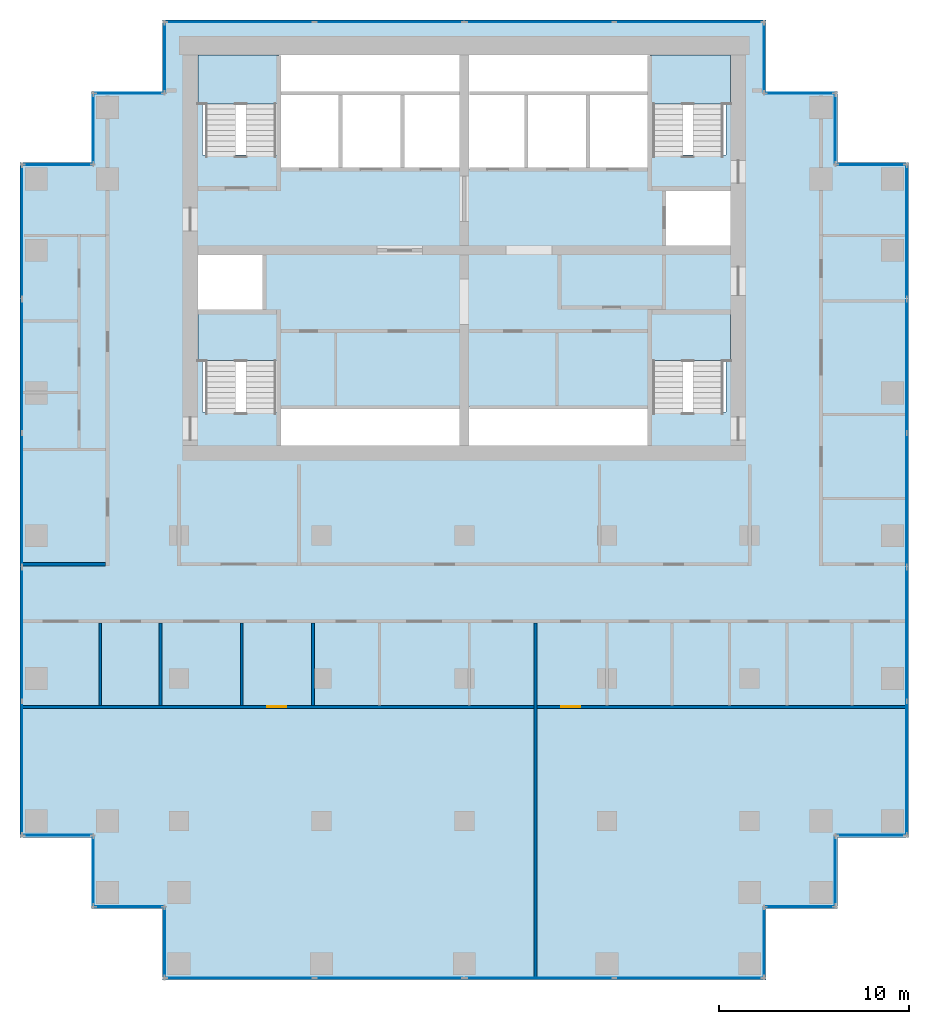
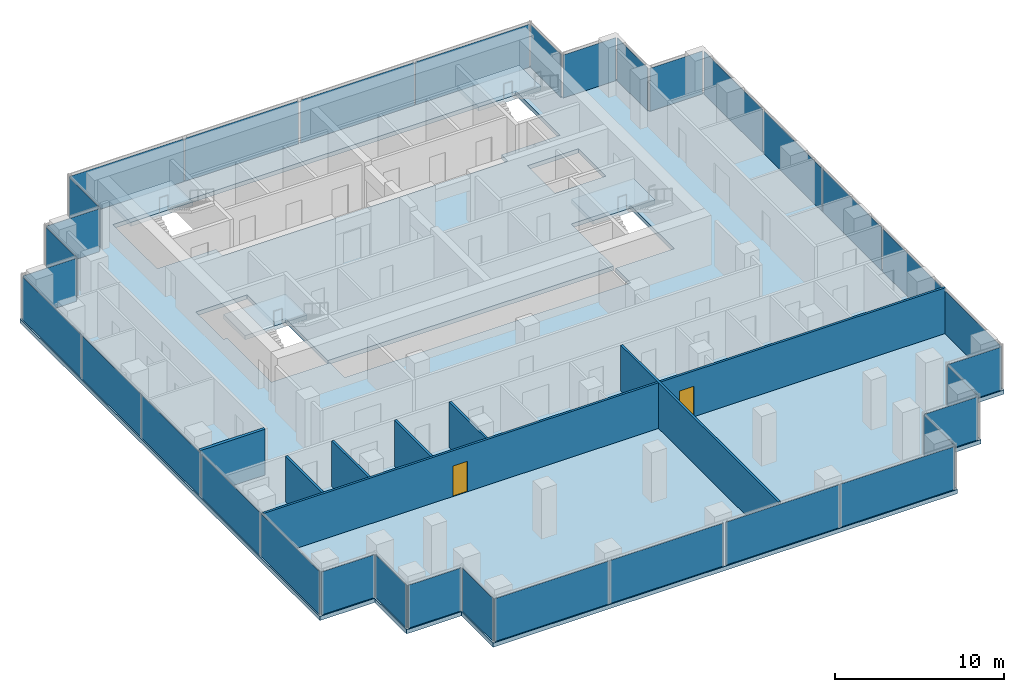
# One storey, part 6 of 10: 34 plates, 7 walls, 5 slabs, 2 doors, 2 openings, 30 elements without a shape of their own.
"""IFC4 building model written with IfcOpenShell, lengths in metres."""

import ifcopenshell
import ifcopenshell.guid

model = None  # the IFC model being written
_history = None  # IfcOwnerHistory: only IFC2X3 demands one
_inside = {}  # id of a spatial element -> (the spatial element, [elements in it])
_under = {}  # id of a project, library or spatial element -> (it, [spatial elements below it])
_declared = {}  # id of a project -> (the project, [libraries it declares])
_typed = {}  # id of a type object -> (the type object, [elements of that type])
_made_of = {}  # id of a material, layer set ... -> (it, [elements and type objects made of it])


def new_model(schema):
    """Start an empty IFC model of exactly this schema.

    Asked for "IFC4X3", IfcOpenShell would pick the latest addendum, in which some entities
    have other attributes; the version numbers below select the first issue.
    IFC2X3 requires an IfcOwnerHistory on every rooted entity: one is made here for all.
    """
    global model, _history
    if schema == "IFC4X3":
        model = ifcopenshell.file(schema_version=(4, 3, 0, 0))
    else:
        model = ifcopenshell.file(schema=schema)
    _inside.clear()
    _under.clear()
    _declared.clear()
    _typed.clear()
    _made_of.clear()
    _history = None
    if model.schema == "IFC2X3":
        org = make("IfcOrganization", Name="unknown")
        user = make(
            "IfcPersonAndOrganization",
            ThePerson=make("IfcPerson", FamilyName="unknown"),
            TheOrganization=org,
        )
        app = make(
            "IfcApplication",
            ApplicationDeveloper=org,
            Version="unknown",
            ApplicationFullName="unknown",
            ApplicationIdentifier="unknown",
        )
        _history = make(
            "IfcOwnerHistory",
            OwningUser=user,
            OwningApplication=app,
            ChangeAction="ADDED",
            CreationDate=0,
        )
    return model


def make(cls, **values):
    """One entity of the class cls with the attributes given. An attribute that is None is left unset."""
    return model.create_entity(
        cls, **{name: value for name, value in values.items() if value is not None}
    )


def rooted(cls, **values):
    """An entity with a GlobalId (a new one), such as an element, a storey or a relation."""
    return make(cls, GlobalId=ifcopenshell.guid.new(), OwnerHistory=_history, **values)


def si_unit(unit_type, name, prefix=None):
    """IfcSIUnit, for example si_unit("LENGTHUNIT", "METRE", prefix="MILLI")."""
    return make("IfcSIUnit", UnitType=unit_type, Prefix=prefix, Name=name)


def assignment(units):
    """IfcUnitAssignment: the units of a project."""
    return None if units is None else make("IfcUnitAssignment", Units=units)


def point(xyz):
    """IfcCartesianPoint."""
    return None if xyz is None else make("IfcCartesianPoint", Coordinates=xyz)


def direction(xyz):
    """IfcDirection."""
    return None if xyz is None else make("IfcDirection", DirectionRatios=xyz)


def frame(location, z_axis=None, x_axis=None):
    """IfcAxis2Placement3D, a coordinate frame: its origin and axes. An axis left out is left unset."""
    return make(
        "IfcAxis2Placement3D",
        Location=point(location),
        Axis=direction(z_axis),
        RefDirection=direction(x_axis),
    )


def frame_2d(location, x_axis=None):
    """IfcAxis2Placement2D, a coordinate frame in the plane: its origin and x axis."""
    return make(
        "IfcAxis2Placement2D", Location=point(location), RefDirection=direction(x_axis)
    )


def origin():
    """The frame at (0, 0, 0) with its axes left unset."""
    return frame((0.0, 0.0, 0.0))


def origin_2d():
    """The frame at (0, 0) in the plane with its x axis left unset."""
    return frame_2d((0.0, 0.0))


def place(relative_to, where):
    """IfcLocalPlacement: puts the frame where relative to a parent placement (None: the world)."""
    return make(
        "IfcLocalPlacement", PlacementRelTo=relative_to, RelativePlacement=where
    )


def context(
    kind, dimensions, precision=None, world=None, true_north=None, identifier=None
):
    """IfcGeometricRepresentationContext, for example the 3D "Model" context."""
    return make(
        "IfcGeometricRepresentationContext",
        ContextIdentifier=identifier,
        ContextType=kind,
        CoordinateSpaceDimension=dimensions,
        Precision=precision,
        WorldCoordinateSystem=world,
        TrueNorth=true_north,
    )


def subcontext(parent, identifier, kind, view, scale=None):
    """IfcGeometricRepresentationSubContext, for example "Body" below "Model"."""
    return make(
        "IfcGeometricRepresentationSubContext",
        ContextIdentifier=identifier,
        ContextType=kind,
        ParentContext=parent,
        TargetScale=scale,
        TargetView=view,
    )


def project(units=None, contexts=None):
    """IfcProject with its units and contexts."""
    return rooted(
        "IfcProject",
        Name="project",
        RepresentationContexts=contexts,
        UnitsInContext=assignment(units),
    )


def spatial(cls, under=None, at=None, **own):
    """A site, building, storey or space (cls), placed at a placement, below another one or the project."""
    s = rooted(cls, ObjectPlacement=at, **own)
    if under is not None:
        _under.setdefault(under.id(), (under, []))[1].append(s)
    return s


def polyline(points):
    """IfcPolyline through the points."""
    return make("IfcPolyline", Points=[point(p) for p in points])


def profile(cls, at=None, kind="AREA", **sizes):
    """A parametric profile (cls). Its sizes go by their IFC names, for example OverallWidth=200.0."""
    return make(cls, ProfileType=kind, Position=at, **sizes)


def rectangle(**sizes):
    """IfcRectangleProfileDef."""
    return profile("IfcRectangleProfileDef", **sizes)


def outline(outer, holes=None, kind="AREA"):
    """IfcArbitraryClosedProfileDef: a profile drawn as a closed curve; with holes, ...WithVoids."""
    if holes is None:
        return make("IfcArbitraryClosedProfileDef", ProfileType=kind, OuterCurve=outer)
    return make(
        "IfcArbitraryProfileDefWithVoids",
        ProfileType=kind,
        OuterCurve=outer,
        InnerCurves=holes,
    )


def extrude(swept, where, along, depth):
    """IfcExtrudedAreaSolid: the profile swept, set in the frame where, extruded along a direction by depth."""
    return make(
        "IfcExtrudedAreaSolid",
        SweptArea=swept,
        Position=where,
        ExtrudedDirection=direction(along),
        Depth=depth,
    )


def shape(context_of_items, identifier, shape_type, items):
    """IfcShapeRepresentation: the items that make up one representation, for example the "Body"."""
    return make(
        "IfcShapeRepresentation",
        ContextOfItems=context_of_items,
        RepresentationIdentifier=identifier,
        RepresentationType=shape_type,
        Items=items,
    )


def material(Name=None, Category=None):
    """IfcMaterial."""
    return make("IfcMaterial", Name=Name, Category=Category)


def layer(
    of_material, thickness, ventilated=None, Name=None, Category=None, Priority=None
):
    """IfcMaterialLayer: one layer of a wall or slab, of a material (None: an air gap)."""
    return make(
        "IfcMaterialLayer",
        Material=of_material,
        LayerThickness=thickness,
        IsVentilated=ventilated,
        Name=Name,
        Category=Category,
        Priority=Priority,
    )


def layer_set(layers, Name=None):
    """IfcMaterialLayerSet."""
    return make("IfcMaterialLayerSet", MaterialLayers=layers, LayerSetName=Name)


def made_of(thing, what):
    """Note that an element or type object is made of a material, layer set ...; save() writes the relation."""
    if what is not None:
        _made_of.setdefault(what.id(), (what, []))[1].append(thing)
    return thing


def type_object(cls, material=None, **own):
    """A type object (cls), such as IfcWallType, which elements share."""
    return made_of(rooted(cls, **own), material)


def element(
    cls,
    number,
    at=None,
    inside=None,
    cuts=None,
    type_object=None,
    material=None,
    context=None,
    identifier="Body",
    shape_type=None,
    held_by="IfcProductDefinitionShape",
    body=None,
    shapes=None,
    **own,
):
    """One element of the class cls, such as IfcWall. Its Tag is "e" and its number.

    at: its placement. inside: the storey or other place that contains it. cuts: it is an
    opening in that element (IfcRelVoidsElement). A single representation is given by context,
    identifier, shape_type and body (its items); several are given by shapes. held_by: the class
    of the entity that holds the representations. save() writes the other relations.
    """
    e = rooted(cls, Tag="e%d" % number, ObjectPlacement=at, **own)
    if body is not None:
        shapes = [shape(context, identifier, shape_type, body)]
    if shapes is not None:
        e.Representation = make(held_by, Representations=shapes)
    if inside is not None:
        _inside.setdefault(inside.id(), (inside, []))[1].append(e)
    if cuts is not None:
        rooted(
            "IfcRelVoidsElement", RelatingBuildingElement=cuts, RelatedOpeningElement=e
        )
    if type_object is not None:
        _typed.setdefault(type_object.id(), (type_object, []))[1].append(e)
    return made_of(e, material)


def fill(opening, filler):
    """IfcRelFillsElement: the door or window that sits in an opening."""
    return rooted(
        "IfcRelFillsElement",
        RelatingOpeningElement=opening,
        RelatedBuildingElement=filler,
    )


def aggregate(whole, parts):
    """IfcRelAggregates: a whole, such as a stair, and the parts it consists of."""
    return rooted("IfcRelAggregates", RelatingObject=whole, RelatedObjects=parts)


def save(model, path):
    """Write the relations noted so far, then the file.

    IfcRelAggregates (storeys below a building ...), IfcRelContainedInSpatialStructure (elements
    in a storey), IfcRelDefinesByType, IfcRelAssociatesMaterial and IfcRelDeclares: one each for
    every whole, place, type object, material and project.
    """
    for whole, parts in _under.values():
        aggregate(whole, parts)
    for where, things in _inside.values():
        rooted(
            "IfcRelContainedInSpatialStructure",
            RelatedElements=things,
            RelatingStructure=where,
        )
    for kind, things in _typed.values():
        rooted("IfcRelDefinesByType", RelatedObjects=things, RelatingType=kind)
    for what, things in _made_of.values():
        rooted("IfcRelAssociatesMaterial", RelatedObjects=things, RelatingMaterial=what)
    for by, libraries in _declared.values():
        rooted("IfcRelDeclares", RelatingContext=by, RelatedDefinitions=libraries)
    model.write(path)


model = new_model("IFC4")

# Units and contexts
model_context = context("Model", 3, precision=1e-05, world=origin(), true_north=direction((0.0, 1.0)))
body_context = subcontext(model_context, "Body", "Model", "MODEL_VIEW")
ifc_project = project(units=[si_unit("LENGTHUNIT", "METRE"), si_unit("AREAUNIT", "SQUARE_METRE"), si_unit("VOLUMEUNIT", "CUBIC_METRE"), si_unit("PLANEANGLEUNIT", "RADIAN"), si_unit("MASSUNIT", "GRAM", prefix="KILO")], contexts=[model_context])

# Site, building, storey
site_placement = place(None, origin())
site = spatial("IfcSite", under=ifc_project, at=site_placement, CompositionType="ELEMENT")
building_placement = place(site_placement, origin())
building = spatial("IfcBuilding", under=site, at=building_placement, Name="Pilkhan Gate Tower", CompositionType="ELEMENT")
storey_placement = place(building_placement, frame((0.0, 0.0, 169.300048828125)))
storey = spatial("IfcBuildingStorey", under=building, at=storey_placement, Name="L43", CompositionType="ELEMENT", Elevation=169.300048828125)

# Slab
ifc_material_1 = material(Name="Concrete C40/50", Category="concrete")
ifc_layer_1 = layer(ifc_material_1, 0.300048828125)
ifc_layer_set_1 = layer_set([ifc_layer_1], Name="Flat plate slab FP300")
slab_type_1 = type_object("IfcSlabType", Name="Flat plate slab FP300", PredefinedType="FLOOR", material=ifc_layer_set_1)
slab_1_placement = place(storey_placement, frame((0.0, 0.0, -0.300048828125)))
element("IfcSlab", 1, at=slab_1_placement, inside=storey, type_object=slab_type_1, Name="Floor slab L43", PredefinedType="FLOOR", context=body_context, shape_type="SweptSolid", body=[
    extrude(outline(polyline([(94.60009765625, 47.89990234375), (90.85009765625, 47.89990234375), (90.85009765625, 44.14990234375), (59.14990234375, 44.14990234375), (59.14990234375, 47.89990234375), (55.39990234375, 47.89990234375), (55.39990234375, 51.64990234375), (51.64990234375, 51.64990234375), (51.64990234375, 87.10009765625), (55.39990234375, 87.10009765625), (55.39990234375, 90.85009765625), (59.14990234375, 90.85009765625), (59.14990234375, 94.60009765625), (90.85009765625, 94.60009765625), (90.85009765625, 90.85009765625), (94.60009765625, 90.85009765625), (94.60009765625, 87.10009765625), (98.35009765625, 87.10009765625), (98.35009765625, 51.64990234375), (94.60009765625, 51.64990234375), (94.60009765625, 47.89990234375)]), holes=[polyline([(75.0, 72.25), (84.75, 72.25), (84.75, 74.0), (88.75, 74.0), (88.75, 79.25), (84.75, 79.25), (84.75, 74.25), (75.0, 74.25), (65.25, 74.25), (65.25, 79.25), (64.5, 79.25), (64.5, 82.5), (61.25, 82.5), (61.0, 82.5), (61.0, 79.25), (61.25, 79.25), (61.25, 74.0), (65.25, 74.0), (65.25, 72.25), (75.0, 72.25)]), polyline([(68.5, 86.75), (71.75, 86.75), (75.0, 86.75), (78.25, 86.75), (81.5, 86.75), (84.75, 86.75), (84.75, 87.5), (88.75, 87.5), (88.75, 92.75), (84.75, 92.75), (75.0, 92.75), (65.25, 92.75), (61.25, 92.75), (61.25, 87.5), (65.25, 87.5), (65.25, 86.75), (68.5, 86.75)]), polyline([(85.5, 85.75), (85.5, 82.5), (88.75, 82.5), (89.0, 82.5), (89.0, 85.75), (88.75, 85.75), (85.5, 85.75)])]), origin(), (0.0, 0.0, 1.0), 0.300048828125),
])

# Curtain wall, plates
ifc_material_2 = material(Name="Pale anodised aluminium, clear low-iron double glazing", Category="aluminium")
curtain_wall_type = type_object("IfcCurtainWallType", Name="Office unitised curtain wall CW-O1", PredefinedType="USERDEFINED", material=ifc_material_2)
curtain_wall_1_placement = place(storey_placement, origin())
curtain_wall_1 = element("IfcCurtainWall", 2, at=curtain_wall_1_placement, inside=storey, type_object=curtain_wall_type, Name="Office unitised curtain wall CW-O1 L43 E", ObjectType="UNITISED CURTAIN WALL", PredefinedType="USERDEFINED")
ifc_material_3 = material(Name="Clear low-iron double glazing", Category="glass")
ifc_layer_2 = layer(ifc_material_3, 0.0400390625)
ifc_layer_set_2 = layer_set([ifc_layer_2], Name="Glass panel CW-O1 40")
plate_type = type_object("IfcPlateType", Name="Glass panel CW-O1 40", PredefinedType="CURTAIN_PANEL", material=ifc_layer_set_2)
plate_1_placement = place(storey_placement, frame((98.25, 55.29248046875, 0.0), z_axis=(0.0, 0.0, 1.0), x_axis=(0.0, 1.0, 0.0)))
plate_1 = element("IfcPlate", 3, at=plate_1_placement, type_object=plate_type, Name="CW-O1 panel 1", PredefinedType="CURTAIN_PANEL", context=body_context, shape_type="SweptSolid", body=[
    extrude(rectangle(XDim=6.945068359375, YDim=0.0400390625, at=origin_2d()), origin(), (0.0, 0.0, 1.0), 3.10009765625),
])
plate_2_placement = place(storey_placement, frame((98.25, 62.3076171875, 0.0), z_axis=(0.0, 0.0, 1.0), x_axis=(0.0, 1.0, 0.0)))
plate_2 = element("IfcPlate", 4, at=plate_2_placement, type_object=plate_type, Name="CW-O1 panel 2", PredefinedType="CURTAIN_PANEL", context=body_context, shape_type="SweptSolid", body=[
    extrude(rectangle(XDim=6.945068359375, YDim=0.0400390625, at=origin_2d()), origin(), (0.0, 0.0, 1.0), 3.10009765625),
])
aggregate(curtain_wall_1, [plate_1, plate_2])

curtain_wall_2_placement = place(storey_placement, origin())
curtain_wall_2 = element("IfcCurtainWall", 5, at=curtain_wall_2_placement, inside=storey, type_object=curtain_wall_type, Name="Office unitised curtain wall CW-O1 L43 E", ObjectType="UNITISED CURTAIN WALL", PredefinedType="USERDEFINED")
plate_3_placement = place(storey_placement, frame((98.25, 69.392578125, 0.0), z_axis=(0.0, 0.0, 1.0), x_axis=(0.0, 1.0, 0.0)))
plate_3 = element("IfcPlate", 6, at=plate_3_placement, type_object=plate_type, Name="CW-O1 panel 1", PredefinedType="CURTAIN_PANEL", context=body_context, shape_type="SweptSolid", body=[
    extrude(rectangle(XDim=6.945068359375, YDim=0.0400390625, at=origin_2d()), origin(), (0.0, 0.0, 1.0), 3.10009765625),
])
plate_4_placement = place(storey_placement, frame((98.25, 76.407470703125, 0.0), z_axis=(0.0, 0.0, 1.0), x_axis=(0.0, 1.0, 0.0)))
plate_4 = element("IfcPlate", 7, at=plate_4_placement, type_object=plate_type, Name="CW-O1 panel 2", PredefinedType="CURTAIN_PANEL", context=body_context, shape_type="SweptSolid", body=[
    extrude(rectangle(XDim=6.945068359375, YDim=0.0400390625, at=origin_2d()), origin(), (0.0, 0.0, 1.0), 3.10009765625),
])
aggregate(curtain_wall_2, [plate_3, plate_4])

# Curtain wall, plate
curtain_wall_3_placement = place(storey_placement, origin())
curtain_wall_3 = element("IfcCurtainWall", 8, at=curtain_wall_3_placement, inside=storey, type_object=curtain_wall_type, Name="Office unitised curtain wall CW-O1 L43 E", ObjectType="UNITISED CURTAIN WALL", PredefinedType="USERDEFINED")
plate_5_placement = place(storey_placement, frame((98.25, 83.47509765625, 0.0), z_axis=(0.0, 0.0, 1.0), x_axis=(0.0, 1.0, 0.0)))
plate_5 = element("IfcPlate", 9, at=plate_5_placement, type_object=plate_type, Name="CW-O1 panel 1", PredefinedType="CURTAIN_PANEL", context=body_context, shape_type="SweptSolid", body=[
    extrude(rectangle(XDim=6.909912109375, YDim=0.0400390625, at=origin_2d()), origin(), (0.0, 0.0, 1.0), 3.10009765625),
])
aggregate(curtain_wall_3, [plate_5])

curtain_wall_4_placement = place(storey_placement, origin())
curtain_wall_4 = element("IfcCurtainWall", 10, at=curtain_wall_4_placement, inside=storey, type_object=curtain_wall_type, Name="Office unitised curtain wall CW-O1 L43 N", ObjectType="UNITISED CURTAIN WALL", PredefinedType="USERDEFINED")
plate_6_placement = place(storey_placement, frame((96.375, 87.0, 0.0), z_axis=(0.0, 0.0, 1.0), x_axis=(1.0, 0.0, 0.0)))
plate_6 = element("IfcPlate", 11, at=plate_6_placement, type_object=plate_type, Name="CW-O1 panel 1", PredefinedType="CURTAIN_PANEL", context=body_context, shape_type="SweptSolid", body=[
    extrude(rectangle(XDim=3.610107421875, YDim=0.0400390625, at=origin_2d()), origin(), (0.0, 0.0, 1.0), 3.10009765625),
])
aggregate(curtain_wall_4, [plate_6])

curtain_wall_5_placement = place(storey_placement, origin())
curtain_wall_5 = element("IfcCurtainWall", 12, at=curtain_wall_5_placement, inside=storey, type_object=curtain_wall_type, Name="Office unitised curtain wall CW-O1 L43 E", ObjectType="UNITISED CURTAIN WALL", PredefinedType="USERDEFINED")
plate_7_placement = place(storey_placement, frame((94.5, 88.875, 0.0), z_axis=(0.0, 0.0, 1.0), x_axis=(0.0, 1.0, 0.0)))
plate_7 = element("IfcPlate", 13, at=plate_7_placement, type_object=plate_type, Name="CW-O1 panel 1", PredefinedType="CURTAIN_PANEL", context=body_context, shape_type="SweptSolid", body=[
    extrude(rectangle(XDim=3.610107421875, YDim=0.0400390625, at=origin_2d()), origin(), (0.0, 0.0, 1.0), 3.10009765625),
])
aggregate(curtain_wall_5, [plate_7])

curtain_wall_6_placement = place(storey_placement, origin())
curtain_wall_6 = element("IfcCurtainWall", 14, at=curtain_wall_6_placement, inside=storey, type_object=curtain_wall_type, Name="Office unitised curtain wall CW-O1 L43 N", ObjectType="UNITISED CURTAIN WALL", PredefinedType="USERDEFINED")
plate_8_placement = place(storey_placement, frame((92.625, 90.75, 0.0), z_axis=(0.0, 0.0, 1.0), x_axis=(1.0, 0.0, 0.0)))
plate_8 = element("IfcPlate", 15, at=plate_8_placement, type_object=plate_type, Name="CW-O1 panel 1", PredefinedType="CURTAIN_PANEL", context=body_context, shape_type="SweptSolid", body=[
    extrude(rectangle(XDim=3.610107421875, YDim=0.0400390625, at=origin_2d()), origin(), (0.0, 0.0, 1.0), 3.10009765625),
])
aggregate(curtain_wall_6, [plate_8])

curtain_wall_7_placement = place(storey_placement, origin())
curtain_wall_7 = element("IfcCurtainWall", 16, at=curtain_wall_7_placement, inside=storey, type_object=curtain_wall_type, Name="Office unitised curtain wall CW-O1 L43 E", ObjectType="UNITISED CURTAIN WALL", PredefinedType="USERDEFINED")
plate_9_placement = place(storey_placement, frame((90.75, 92.625, 0.0), z_axis=(0.0, 0.0, 1.0), x_axis=(0.0, 1.0, 0.0)))
plate_9 = element("IfcPlate", 17, at=plate_9_placement, type_object=plate_type, Name="CW-O1 panel 1", PredefinedType="CURTAIN_PANEL", context=body_context, shape_type="SweptSolid", body=[
    extrude(rectangle(XDim=3.610107421875, YDim=0.0400390625, at=origin_2d()), origin(), (0.0, 0.0, 1.0), 3.10009765625),
])
aggregate(curtain_wall_7, [plate_9])

# Curtain wall, plates
curtain_wall_8_placement = place(storey_placement, origin())
curtain_wall_8 = element("IfcCurtainWall", 18, at=curtain_wall_8_placement, inside=storey, type_object=curtain_wall_type, Name="Office unitised curtain wall CW-O1 L43 N", ObjectType="UNITISED CURTAIN WALL", PredefinedType="USERDEFINED")
plate_10_placement = place(storey_placement, frame((63.205078125, 94.5, 0.0), z_axis=(0.0, 0.0, 1.0), x_axis=(1.0, 0.0, 0.0)))
plate_10 = element("IfcPlate", 19, at=plate_10_placement, type_object=plate_type, Name="CW-O1 panel 1", PredefinedType="CURTAIN_PANEL", context=body_context, shape_type="SweptSolid", body=[
    extrude(rectangle(XDim=7.77001953125, YDim=0.0400390625, at=origin_2d()), origin(), (0.0, 0.0, 1.0), 3.10009765625),
])
plate_11_placement = place(storey_placement, frame((71.044921875, 94.5, 0.0), z_axis=(0.0, 0.0, 1.0), x_axis=(1.0, 0.0, 0.0)))
plate_11 = element("IfcPlate", 20, at=plate_11_placement, type_object=plate_type, Name="CW-O1 panel 2", PredefinedType="CURTAIN_PANEL", context=body_context, shape_type="SweptSolid", body=[
    extrude(rectangle(XDim=7.77001953125, YDim=0.0400390625, at=origin_2d()), origin(), (0.0, 0.0, 1.0), 3.10009765625),
])
aggregate(curtain_wall_8, [plate_10, plate_11])

curtain_wall_9_placement = place(storey_placement, origin())
curtain_wall_9 = element("IfcCurtainWall", 21, at=curtain_wall_9_placement, inside=storey, type_object=curtain_wall_type, Name="Office unitised curtain wall CW-O1 L43 N", ObjectType="UNITISED CURTAIN WALL", PredefinedType="USERDEFINED")
plate_12_placement = place(storey_placement, frame((78.955078125, 94.5, 0.0), z_axis=(0.0, 0.0, 1.0), x_axis=(1.0, 0.0, 0.0)))
plate_12 = element("IfcPlate", 22, at=plate_12_placement, type_object=plate_type, Name="CW-O1 panel 1", PredefinedType="CURTAIN_PANEL", context=body_context, shape_type="SweptSolid", body=[
    extrude(rectangle(XDim=7.77001953125, YDim=0.0400390625, at=origin_2d()), origin(), (0.0, 0.0, 1.0), 3.10009765625),
])
plate_13_placement = place(storey_placement, frame((86.794921875, 94.5, 0.0), z_axis=(0.0, 0.0, 1.0), x_axis=(1.0, 0.0, 0.0)))
plate_13 = element("IfcPlate", 23, at=plate_13_placement, type_object=plate_type, Name="CW-O1 panel 2", PredefinedType="CURTAIN_PANEL", context=body_context, shape_type="SweptSolid", body=[
    extrude(rectangle(XDim=7.77001953125, YDim=0.0400390625, at=origin_2d()), origin(), (0.0, 0.0, 1.0), 3.10009765625),
])
aggregate(curtain_wall_9, [plate_12, plate_13])

# Curtain wall, plate
curtain_wall_10_placement = place(storey_placement, origin())
curtain_wall_10 = element("IfcCurtainWall", 24, at=curtain_wall_10_placement, inside=storey, type_object=curtain_wall_type, Name="Office unitised curtain wall CW-O1 L43 W", ObjectType="UNITISED CURTAIN WALL", PredefinedType="USERDEFINED")
plate_14_placement = place(storey_placement, frame((59.25, 92.625, 0.0), z_axis=(0.0, 0.0, 1.0), x_axis=(0.0, 1.0, 0.0)))
plate_14 = element("IfcPlate", 25, at=plate_14_placement, type_object=plate_type, Name="CW-O1 panel 1", PredefinedType="CURTAIN_PANEL", context=body_context, shape_type="SweptSolid", body=[
    extrude(rectangle(XDim=3.610107421875, YDim=0.0400390625, at=origin_2d()), origin(), (0.0, 0.0, 1.0), 3.10009765625),
])
aggregate(curtain_wall_10, [plate_14])

curtain_wall_11_placement = place(storey_placement, origin())
curtain_wall_11 = element("IfcCurtainWall", 26, at=curtain_wall_11_placement, inside=storey, type_object=curtain_wall_type, Name="Office unitised curtain wall CW-O1 L43 N", ObjectType="UNITISED CURTAIN WALL", PredefinedType="USERDEFINED")
plate_15_placement = place(storey_placement, frame((57.375, 90.75, 0.0), z_axis=(0.0, 0.0, 1.0), x_axis=(1.0, 0.0, 0.0)))
plate_15 = element("IfcPlate", 27, at=plate_15_placement, type_object=plate_type, Name="CW-O1 panel 1", PredefinedType="CURTAIN_PANEL", context=body_context, shape_type="SweptSolid", body=[
    extrude(rectangle(XDim=3.610107421875, YDim=0.0400390625, at=origin_2d()), origin(), (0.0, 0.0, 1.0), 3.10009765625),
])
aggregate(curtain_wall_11, [plate_15])

curtain_wall_12_placement = place(storey_placement, origin())
curtain_wall_12 = element("IfcCurtainWall", 28, at=curtain_wall_12_placement, inside=storey, type_object=curtain_wall_type, Name="Office unitised curtain wall CW-O1 L43 W", ObjectType="UNITISED CURTAIN WALL", PredefinedType="USERDEFINED")
plate_16_placement = place(storey_placement, frame((55.5, 88.875, 0.0), z_axis=(0.0, 0.0, 1.0), x_axis=(0.0, 1.0, 0.0)))
plate_16 = element("IfcPlate", 29, at=plate_16_placement, type_object=plate_type, Name="CW-O1 panel 1", PredefinedType="CURTAIN_PANEL", context=body_context, shape_type="SweptSolid", body=[
    extrude(rectangle(XDim=3.610107421875, YDim=0.0400390625, at=origin_2d()), origin(), (0.0, 0.0, 1.0), 3.10009765625),
])
aggregate(curtain_wall_12, [plate_16])

curtain_wall_13_placement = place(storey_placement, origin())
curtain_wall_13 = element("IfcCurtainWall", 30, at=curtain_wall_13_placement, inside=storey, type_object=curtain_wall_type, Name="Office unitised curtain wall CW-O1 L43 N", ObjectType="UNITISED CURTAIN WALL", PredefinedType="USERDEFINED")
plate_17_placement = place(storey_placement, frame((53.625, 87.0, 0.0), z_axis=(0.0, 0.0, 1.0), x_axis=(1.0, 0.0, 0.0)))
plate_17 = element("IfcPlate", 31, at=plate_17_placement, type_object=plate_type, Name="CW-O1 panel 1", PredefinedType="CURTAIN_PANEL", context=body_context, shape_type="SweptSolid", body=[
    extrude(rectangle(XDim=3.610107421875, YDim=0.0400390625, at=origin_2d()), origin(), (0.0, 0.0, 1.0), 3.10009765625),
])
aggregate(curtain_wall_13, [plate_17])

# Curtain wall, plates
curtain_wall_14_placement = place(storey_placement, origin())
curtain_wall_14 = element("IfcCurtainWall", 32, at=curtain_wall_14_placement, inside=storey, type_object=curtain_wall_type, Name="Office unitised curtain wall CW-O1 L43 W", ObjectType="UNITISED CURTAIN WALL", PredefinedType="USERDEFINED")
plate_18_placement = place(storey_placement, frame((51.75, 55.29248046875, 0.0), z_axis=(0.0, 0.0, 1.0), x_axis=(0.0, 1.0, 0.0)))
plate_18 = element("IfcPlate", 33, at=plate_18_placement, type_object=plate_type, Name="CW-O1 panel 1", PredefinedType="CURTAIN_PANEL", context=body_context, shape_type="SweptSolid", body=[
    extrude(rectangle(XDim=6.945068359375, YDim=0.0400390625, at=origin_2d()), origin(), (0.0, 0.0, 1.0), 3.10009765625),
])
plate_19_placement = place(storey_placement, frame((51.75, 62.3076171875, 0.0), z_axis=(0.0, 0.0, 1.0), x_axis=(0.0, 1.0, 0.0)))
plate_19 = element("IfcPlate", 34, at=plate_19_placement, type_object=plate_type, Name="CW-O1 panel 2", PredefinedType="CURTAIN_PANEL", context=body_context, shape_type="SweptSolid", body=[
    extrude(rectangle(XDim=6.945068359375, YDim=0.0400390625, at=origin_2d()), origin(), (0.0, 0.0, 1.0), 3.10009765625),
])
aggregate(curtain_wall_14, [plate_18, plate_19])

curtain_wall_15_placement = place(storey_placement, origin())
curtain_wall_15 = element("IfcCurtainWall", 35, at=curtain_wall_15_placement, inside=storey, type_object=curtain_wall_type, Name="Office unitised curtain wall CW-O1 L43 W", ObjectType="UNITISED CURTAIN WALL", PredefinedType="USERDEFINED")
plate_20_placement = place(storey_placement, frame((51.75, 69.392578125, 0.0), z_axis=(0.0, 0.0, 1.0), x_axis=(0.0, 1.0, 0.0)))
plate_20 = element("IfcPlate", 36, at=plate_20_placement, type_object=plate_type, Name="CW-O1 panel 1", PredefinedType="CURTAIN_PANEL", context=body_context, shape_type="SweptSolid", body=[
    extrude(rectangle(XDim=6.945068359375, YDim=0.0400390625, at=origin_2d()), origin(), (0.0, 0.0, 1.0), 3.10009765625),
])
plate_21_placement = place(storey_placement, frame((51.75, 76.407470703125, 0.0), z_axis=(0.0, 0.0, 1.0), x_axis=(0.0, 1.0, 0.0)))
plate_21 = element("IfcPlate", 37, at=plate_21_placement, type_object=plate_type, Name="CW-O1 panel 2", PredefinedType="CURTAIN_PANEL", context=body_context, shape_type="SweptSolid", body=[
    extrude(rectangle(XDim=6.945068359375, YDim=0.0400390625, at=origin_2d()), origin(), (0.0, 0.0, 1.0), 3.10009765625),
])
aggregate(curtain_wall_15, [plate_20, plate_21])

# Curtain wall, plate
curtain_wall_16_placement = place(storey_placement, origin())
curtain_wall_16 = element("IfcCurtainWall", 38, at=curtain_wall_16_placement, inside=storey, type_object=curtain_wall_type, Name="Office unitised curtain wall CW-O1 L43 W", ObjectType="UNITISED CURTAIN WALL", PredefinedType="USERDEFINED")
plate_22_placement = place(storey_placement, frame((51.75, 83.47509765625, 0.0), z_axis=(0.0, 0.0, 1.0), x_axis=(0.0, 1.0, 0.0)))
plate_22 = element("IfcPlate", 39, at=plate_22_placement, type_object=plate_type, Name="CW-O1 panel 1", PredefinedType="CURTAIN_PANEL", context=body_context, shape_type="SweptSolid", body=[
    extrude(rectangle(XDim=6.909912109375, YDim=0.0400390625, at=origin_2d()), origin(), (0.0, 0.0, 1.0), 3.10009765625),
])
aggregate(curtain_wall_16, [plate_22])

curtain_wall_17_placement = place(storey_placement, origin())
curtain_wall_17 = element("IfcCurtainWall", 40, at=curtain_wall_17_placement, inside=storey, type_object=curtain_wall_type, Name="Office unitised curtain wall CW-O1 L43 S", ObjectType="UNITISED CURTAIN WALL", PredefinedType="USERDEFINED")
plate_23_placement = place(storey_placement, frame((53.625, 51.75, 0.0), z_axis=(0.0, 0.0, 1.0), x_axis=(1.0, 0.0, 0.0)))
plate_23 = element("IfcPlate", 41, at=plate_23_placement, type_object=plate_type, Name="CW-O1 panel 1", PredefinedType="CURTAIN_PANEL", context=body_context, shape_type="SweptSolid", body=[
    extrude(rectangle(XDim=3.610107421875, YDim=0.0400390625, at=origin_2d()), origin(), (0.0, 0.0, 1.0), 3.10009765625),
])
aggregate(curtain_wall_17, [plate_23])

curtain_wall_18_placement = place(storey_placement, origin())
curtain_wall_18 = element("IfcCurtainWall", 42, at=curtain_wall_18_placement, inside=storey, type_object=curtain_wall_type, Name="Office unitised curtain wall CW-O1 L43 W", ObjectType="UNITISED CURTAIN WALL", PredefinedType="USERDEFINED")
plate_24_placement = place(storey_placement, frame((55.5, 49.875, 0.0), z_axis=(0.0, 0.0, 1.0), x_axis=(0.0, 1.0, 0.0)))
plate_24 = element("IfcPlate", 43, at=plate_24_placement, type_object=plate_type, Name="CW-O1 panel 1", PredefinedType="CURTAIN_PANEL", context=body_context, shape_type="SweptSolid", body=[
    extrude(rectangle(XDim=3.610107421875, YDim=0.0400390625, at=origin_2d()), origin(), (0.0, 0.0, 1.0), 3.10009765625),
])
aggregate(curtain_wall_18, [plate_24])

curtain_wall_19_placement = place(storey_placement, origin())
curtain_wall_19 = element("IfcCurtainWall", 44, at=curtain_wall_19_placement, inside=storey, type_object=curtain_wall_type, Name="Office unitised curtain wall CW-O1 L43 S", ObjectType="UNITISED CURTAIN WALL", PredefinedType="USERDEFINED")
plate_25_placement = place(storey_placement, frame((57.375, 48.0, 0.0), z_axis=(0.0, 0.0, 1.0), x_axis=(1.0, 0.0, 0.0)))
plate_25 = element("IfcPlate", 45, at=plate_25_placement, type_object=plate_type, Name="CW-O1 panel 1", PredefinedType="CURTAIN_PANEL", context=body_context, shape_type="SweptSolid", body=[
    extrude(rectangle(XDim=3.610107421875, YDim=0.0400390625, at=origin_2d()), origin(), (0.0, 0.0, 1.0), 3.10009765625),
])
aggregate(curtain_wall_19, [plate_25])

curtain_wall_20_placement = place(storey_placement, origin())
curtain_wall_20 = element("IfcCurtainWall", 46, at=curtain_wall_20_placement, inside=storey, type_object=curtain_wall_type, Name="Office unitised curtain wall CW-O1 L43 W", ObjectType="UNITISED CURTAIN WALL", PredefinedType="USERDEFINED")
plate_26_placement = place(storey_placement, frame((59.25, 46.125, 0.0), z_axis=(0.0, 0.0, 1.0), x_axis=(0.0, 1.0, 0.0)))
plate_26 = element("IfcPlate", 47, at=plate_26_placement, type_object=plate_type, Name="CW-O1 panel 1", PredefinedType="CURTAIN_PANEL", context=body_context, shape_type="SweptSolid", body=[
    extrude(rectangle(XDim=3.610107421875, YDim=0.0400390625, at=origin_2d()), origin(), (0.0, 0.0, 1.0), 3.10009765625),
])
aggregate(curtain_wall_20, [plate_26])

# Curtain wall, plates
curtain_wall_21_placement = place(storey_placement, origin())
curtain_wall_21 = element("IfcCurtainWall", 48, at=curtain_wall_21_placement, inside=storey, type_object=curtain_wall_type, Name="Office unitised curtain wall CW-O1 L43 S", ObjectType="UNITISED CURTAIN WALL", PredefinedType="USERDEFINED")
plate_27_placement = place(storey_placement, frame((63.205078125, 44.25, 0.0), z_axis=(0.0, 0.0, 1.0), x_axis=(1.0, 0.0, 0.0)))
plate_27 = element("IfcPlate", 49, at=plate_27_placement, type_object=plate_type, Name="CW-O1 panel 1", PredefinedType="CURTAIN_PANEL", context=body_context, shape_type="SweptSolid", body=[
    extrude(rectangle(XDim=7.77001953125, YDim=0.0400390625, at=origin_2d()), origin(), (0.0, 0.0, 1.0), 3.10009765625),
])
plate_28_placement = place(storey_placement, frame((71.044921875, 44.25, 0.0), z_axis=(0.0, 0.0, 1.0), x_axis=(1.0, 0.0, 0.0)))
plate_28 = element("IfcPlate", 50, at=plate_28_placement, type_object=plate_type, Name="CW-O1 panel 2", PredefinedType="CURTAIN_PANEL", context=body_context, shape_type="SweptSolid", body=[
    extrude(rectangle(XDim=7.77001953125, YDim=0.0400390625, at=origin_2d()), origin(), (0.0, 0.0, 1.0), 3.10009765625),
])
aggregate(curtain_wall_21, [plate_27, plate_28])

curtain_wall_22_placement = place(storey_placement, origin())
curtain_wall_22 = element("IfcCurtainWall", 51, at=curtain_wall_22_placement, inside=storey, type_object=curtain_wall_type, Name="Office unitised curtain wall CW-O1 L43 S", ObjectType="UNITISED CURTAIN WALL", PredefinedType="USERDEFINED")
plate_29_placement = place(storey_placement, frame((78.955078125, 44.25, 0.0), z_axis=(0.0, 0.0, 1.0), x_axis=(1.0, 0.0, 0.0)))
plate_29 = element("IfcPlate", 52, at=plate_29_placement, type_object=plate_type, Name="CW-O1 panel 1", PredefinedType="CURTAIN_PANEL", context=body_context, shape_type="SweptSolid", body=[
    extrude(rectangle(XDim=7.77001953125, YDim=0.0400390625, at=origin_2d()), origin(), (0.0, 0.0, 1.0), 3.10009765625),
])
plate_30_placement = place(storey_placement, frame((86.794921875, 44.25, 0.0), z_axis=(0.0, 0.0, 1.0), x_axis=(1.0, 0.0, 0.0)))
plate_30 = element("IfcPlate", 53, at=plate_30_placement, type_object=plate_type, Name="CW-O1 panel 2", PredefinedType="CURTAIN_PANEL", context=body_context, shape_type="SweptSolid", body=[
    extrude(rectangle(XDim=7.77001953125, YDim=0.0400390625, at=origin_2d()), origin(), (0.0, 0.0, 1.0), 3.10009765625),
])
aggregate(curtain_wall_22, [plate_29, plate_30])

# Curtain wall, plate
curtain_wall_23_placement = place(storey_placement, origin())
curtain_wall_23 = element("IfcCurtainWall", 54, at=curtain_wall_23_placement, inside=storey, type_object=curtain_wall_type, Name="Office unitised curtain wall CW-O1 L43 E", ObjectType="UNITISED CURTAIN WALL", PredefinedType="USERDEFINED")
plate_31_placement = place(storey_placement, frame((90.75, 46.125, 0.0), z_axis=(0.0, 0.0, 1.0), x_axis=(0.0, 1.0, 0.0)))
plate_31 = element("IfcPlate", 55, at=plate_31_placement, type_object=plate_type, Name="CW-O1 panel 1", PredefinedType="CURTAIN_PANEL", context=body_context, shape_type="SweptSolid", body=[
    extrude(rectangle(XDim=3.610107421875, YDim=0.0400390625, at=origin_2d()), origin(), (0.0, 0.0, 1.0), 3.10009765625),
])
aggregate(curtain_wall_23, [plate_31])

curtain_wall_24_placement = place(storey_placement, origin())
curtain_wall_24 = element("IfcCurtainWall", 56, at=curtain_wall_24_placement, inside=storey, type_object=curtain_wall_type, Name="Office unitised curtain wall CW-O1 L43 S", ObjectType="UNITISED CURTAIN WALL", PredefinedType="USERDEFINED")
plate_32_placement = place(storey_placement, frame((92.625, 48.0, 0.0), z_axis=(0.0, 0.0, 1.0), x_axis=(1.0, 0.0, 0.0)))
plate_32 = element("IfcPlate", 57, at=plate_32_placement, type_object=plate_type, Name="CW-O1 panel 1", PredefinedType="CURTAIN_PANEL", context=body_context, shape_type="SweptSolid", body=[
    extrude(rectangle(XDim=3.610107421875, YDim=0.0400390625, at=origin_2d()), origin(), (0.0, 0.0, 1.0), 3.10009765625),
])
aggregate(curtain_wall_24, [plate_32])

curtain_wall_25_placement = place(storey_placement, origin())
curtain_wall_25 = element("IfcCurtainWall", 58, at=curtain_wall_25_placement, inside=storey, type_object=curtain_wall_type, Name="Office unitised curtain wall CW-O1 L43 E", ObjectType="UNITISED CURTAIN WALL", PredefinedType="USERDEFINED")
plate_33_placement = place(storey_placement, frame((94.5, 49.875, 0.0), z_axis=(0.0, 0.0, 1.0), x_axis=(0.0, 1.0, 0.0)))
plate_33 = element("IfcPlate", 59, at=plate_33_placement, type_object=plate_type, Name="CW-O1 panel 1", PredefinedType="CURTAIN_PANEL", context=body_context, shape_type="SweptSolid", body=[
    extrude(rectangle(XDim=3.610107421875, YDim=0.0400390625, at=origin_2d()), origin(), (0.0, 0.0, 1.0), 3.10009765625),
])
aggregate(curtain_wall_25, [plate_33])

curtain_wall_26_placement = place(storey_placement, origin())
curtain_wall_26 = element("IfcCurtainWall", 60, at=curtain_wall_26_placement, inside=storey, type_object=curtain_wall_type, Name="Office unitised curtain wall CW-O1 L43 S", ObjectType="UNITISED CURTAIN WALL", PredefinedType="USERDEFINED")
plate_34_placement = place(storey_placement, frame((96.375, 51.75, 0.0), z_axis=(0.0, 0.0, 1.0), x_axis=(1.0, 0.0, 0.0)))
plate_34 = element("IfcPlate", 61, at=plate_34_placement, type_object=plate_type, Name="CW-O1 panel 1", PredefinedType="CURTAIN_PANEL", context=body_context, shape_type="SweptSolid", body=[
    extrude(rectangle(XDim=3.610107421875, YDim=0.0400390625, at=origin_2d()), origin(), (0.0, 0.0, 1.0), 3.10009765625),
])
aggregate(curtain_wall_26, [plate_34])

# Stair, slab
ifc_material_4 = material(Name="Concrete C40/50 precast", Category="concrete")
stair_type_1 = type_object("IfcStairType", Name="Stair ST1 164x280", PredefinedType="HALF_TURN_STAIR", material=ifc_material_4)
stair_1_placement = place(storey_placement, origin())
stair_1 = element("IfcStair", 62, at=stair_1_placement, inside=storey, type_object=stair_type_1, Name="Stair ST1 L43", PredefinedType="HALF_TURN_STAIR")
ifc_layer_3 = layer(ifc_material_1, 0.199951171875)
ifc_layer_set_3 = layer_set([ifc_layer_3], Name="Stair landing SL200")
slab_type_2 = type_object("IfcSlabType", Name="Stair landing SL200", PredefinedType="LANDING", material=ifc_layer_set_3)
slab_2_placement = place(storey_placement, frame((0.0, 0.0, 1.5)))
slab_2 = element("IfcSlab", 63, at=slab_2_placement, type_object=slab_type_2, Name="ST1 landing 1", PredefinedType="LANDING", context=body_context, shape_type="SweptSolid", body=[
    extrude(outline(polyline([(89.0, 76.699951171875), (89.0, 79.25), (84.75, 79.25), (84.75, 76.699951171875), (89.0, 76.699951171875)])), origin(), (0.0, 0.0, 1.0), 0.300048828125),
])
aggregate(stair_1, [slab_2])

stair_type_2 = type_object("IfcStairType", Name="Stair ST2 164x280", PredefinedType="HALF_TURN_STAIR", material=ifc_material_4)
stair_2_placement = place(storey_placement, origin())
stair_2 = element("IfcStair", 64, at=stair_2_placement, inside=storey, type_object=stair_type_2, Name="Stair ST2 L43", PredefinedType="HALF_TURN_STAIR")
slab_3_placement = place(storey_placement, frame((0.0, 0.0, 1.5)))
slab_3 = element("IfcSlab", 65, at=slab_3_placement, type_object=slab_type_2, Name="ST2 landing 1", PredefinedType="LANDING", context=body_context, shape_type="SweptSolid", body=[
    extrude(outline(polyline([(65.25, 76.699951171875), (65.25, 79.25), (61.0, 79.25), (61.0, 76.699951171875), (65.25, 76.699951171875)])), origin(), (0.0, 0.0, 1.0), 0.300048828125),
])
aggregate(stair_2, [slab_3])

stair_type_3 = type_object("IfcStairType", Name="Stair ST3 164x280", PredefinedType="HALF_TURN_STAIR", material=ifc_material_4)
stair_3_placement = place(storey_placement, origin())
stair_3 = element("IfcStair", 66, at=stair_3_placement, inside=storey, type_object=stair_type_3, Name="Stair ST3 L43", PredefinedType="HALF_TURN_STAIR")
slab_4_placement = place(storey_placement, frame((0.0, 0.0, 1.5)))
slab_4 = element("IfcSlab", 67, at=slab_4_placement, type_object=slab_type_2, Name="ST3 landing 1", PredefinedType="LANDING", context=body_context, shape_type="SweptSolid", body=[
    extrude(outline(polyline([(65.25, 90.199951171875), (65.25, 92.75), (61.0, 92.75), (61.0, 90.199951171875), (65.25, 90.199951171875)])), origin(), (0.0, 0.0, 1.0), 0.300048828125),
])
aggregate(stair_3, [slab_4])

stair_type_4 = type_object("IfcStairType", Name="Stair ST4 164x280", PredefinedType="HALF_TURN_STAIR", material=ifc_material_4)
stair_4_placement = place(storey_placement, origin())
stair_4 = element("IfcStair", 68, at=stair_4_placement, inside=storey, type_object=stair_type_4, Name="Stair ST4 L43", PredefinedType="HALF_TURN_STAIR")
slab_5_placement = place(storey_placement, frame((0.0, 0.0, 1.5)))
slab_5 = element("IfcSlab", 69, at=slab_5_placement, type_object=slab_type_2, Name="ST4 landing 1", PredefinedType="LANDING", context=body_context, shape_type="SweptSolid", body=[
    extrude(outline(polyline([(89.0, 90.199951171875), (89.0, 92.75), (84.75, 92.75), (84.75, 90.199951171875), (89.0, 90.199951171875)])), origin(), (0.0, 0.0, 1.0), 0.300048828125),
])
aggregate(stair_4, [slab_5])

# Wall
ifc_material_5 = material(Name="Dense blockwork", Category="masonry")
ifc_layer_4 = layer(ifc_material_5, 0.199951171875)
ifc_layer_set_4 = layer_set([ifc_layer_4], Name="Corridor wall FW200")
wall_type_1 = type_object("IfcWallType", Name="Corridor wall FW200", PredefinedType="PARTITIONING", material=ifc_layer_set_4)
wall_1_placement = place(storey_placement, frame((51.735107421875, 66.0, 0.0), z_axis=(0.0, 0.0, 1.0), x_axis=(1.0, 0.0, 0.0)))
element("IfcWall", 70, at=wall_1_placement, inside=storey, type_object=wall_type_1, Name="Partition L43", PredefinedType="PARTITIONING", context=body_context, shape_type="SweptSolid", body=[
    extrude(rectangle(XDim=4.414794921875, YDim=0.199951171875, at=frame_2d((2.20751953125, 0.0))), origin(), (0.0, 0.0, 1.0), 3.300048828125),
])

# Wall, openings, doors
ifc_material_6 = material(Name="Blockwork partition, plastered both sides", Category="masonry")
ifc_layer_5 = layer(ifc_material_6, 0.14990234375)
ifc_layer_set_5 = layer_set([ifc_layer_5], Name="Partition PW150")
wall_type_2 = type_object("IfcWallType", Name="Partition PW150", PredefinedType="PARTITIONING", material=ifc_layer_set_5)
wall_2_placement = place(storey_placement, frame((51.735107421875, 58.5, 0.0), z_axis=(0.0, 0.0, 1.0), x_axis=(1.0, 0.0, 0.0)))
wall_2 = element("IfcWall", 71, at=wall_2_placement, inside=storey, type_object=wall_type_2, Name="Partition L43", PredefinedType="PARTITIONING", context=body_context, shape_type="SweptSolid", body=[
    extrude(rectangle(XDim=46.52978515625, YDim=0.14990234375, at=frame_2d((23.264892578125, 0.0))), origin(), (0.0, 0.0, 1.0), 3.300048828125),
])
opening_1_placement = place(wall_2_placement, frame((12.9150390625, 0.0, 0.0)))
opening_1 = element("IfcOpeningElement", 72, at=opening_1_placement, cuts=wall_2, Name="Opening L43-24", PredefinedType="OPENING", context=body_context, shape_type="SweptSolid", body=[
    extrude(rectangle(XDim=1.0, YDim=2.199951171875, at=frame_2d((0.5, 1.10009765625))), frame((0.0, 0.0849609375, 0.0), z_axis=(0.0, -1.0, 0.0), x_axis=(1.0, 0.0, 0.0)), (0.0, 0.0, 1.0), 0.169921875),
])
opening_2_placement = place(wall_2_placement, frame((28.364990234375, 0.0, 0.0)))
opening_2 = element("IfcOpeningElement", 73, at=opening_2_placement, cuts=wall_2, Name="Opening L43-28", PredefinedType="OPENING", context=body_context, shape_type="SweptSolid", body=[
    extrude(rectangle(XDim=1.0, YDim=2.199951171875, at=frame_2d((0.5, 1.10009765625))), frame((0.0, 0.0849609375, 0.0), z_axis=(0.0, -1.0, 0.0), x_axis=(1.0, 0.0, 0.0)), (0.0, 0.0, 1.0), 0.169921875),
])
ifc_material_7 = material(Name="Timber flush door, 30 minute fire resisting", Category="wood")
door_type = type_object("IfcDoorType", Name="Room door D03 1000x2200", OperationType="SINGLE_SWING_LEFT", PredefinedType="DOOR", material=ifc_material_7)
door_1_placement = place(opening_1_placement, origin())
door_1 = element("IfcDoor", 74, at=door_1_placement, inside=storey, type_object=door_type, Name="Room door", OperationType="SINGLE_SWING_LEFT", OverallHeight=2.199951171875, OverallWidth=1.0, PredefinedType="DOOR", context=body_context, shape_type="SweptSolid", body=[
    extrude(rectangle(XDim=1.0, YDim=2.199951171875, at=frame_2d((0.5, 1.10009765625))), frame((0.0, 0.02490234375, 0.0), z_axis=(0.0, -1.0, 0.0), x_axis=(1.0, 0.0, 0.0)), (0.0, 0.0, 1.0), 0.050048828125),
])
fill(opening_1, door_1)
door_2_placement = place(opening_2_placement, origin())
door_2 = element("IfcDoor", 75, at=door_2_placement, inside=storey, type_object=door_type, Name="Room door", OperationType="SINGLE_SWING_LEFT", OverallHeight=2.199951171875, OverallWidth=1.0, PredefinedType="DOOR", context=body_context, shape_type="SweptSolid", body=[
    extrude(rectangle(XDim=1.0, YDim=2.199951171875, at=frame_2d((0.5, 1.10009765625))), frame((0.0, 0.02490234375, 0.0), z_axis=(0.0, -1.0, 0.0), x_axis=(1.0, 0.0, 0.0)), (0.0, 0.0, 1.0), 0.050048828125),
])
fill(opening_2, door_2)

# Walls
for number, where, z_axis, x_axis, name in (
    (76, (55.868896484375, 58.574951171875, 0.0), (0.0, 0.0, 1.0), (0.0, 1.0, 0.0), "Partition L43"),
    (77, (59.031005859375, 58.574951171875, 0.0), (0.0, 0.0, 1.0), (0.0, 1.0, 0.0), "Partition L43"),
    (78, (63.300048828125, 58.574951171875, 0.0), (0.0, 0.0, 1.0), (0.0, 1.0, 0.0), "Partition L43"),
    (79, (67.050048828125, 58.574951171875, 0.0), (0.0, 0.0, 1.0), (0.0, 1.0, 0.0), "Partition L43"),
):
    element("IfcWall", number, at=place(storey_placement, frame(where, z_axis=z_axis, x_axis=x_axis)), inside=storey, type_object=wall_type_2, Name=name, PredefinedType="PARTITIONING", context=body_context, shape_type="SweptSolid", body=[
        extrude(rectangle(XDim=4.324951171875, YDim=0.14990234375, at=frame_2d((2.16259765625, 0.0))), origin(), (0.0, 0.0, 1.0), 3.300048828125),
    ])
wall_3_placement = place(storey_placement, frame((78.75, 44.235107421875, 0.0), z_axis=(0.0, 0.0, 1.0), x_axis=(0.0, 1.0, 0.0)))
element("IfcWall", 80, at=wall_3_placement, inside=storey, type_object=wall_type_2, Name="Partition L43", PredefinedType="PARTITIONING", context=body_context, shape_type="SweptSolid", body=[
    extrude(rectangle(XDim=18.664794921875, YDim=0.14990234375, at=frame_2d((9.33251953125, 0.0))), origin(), (0.0, 0.0, 1.0), 3.300048828125),
])

save(model, "model.ifc")
